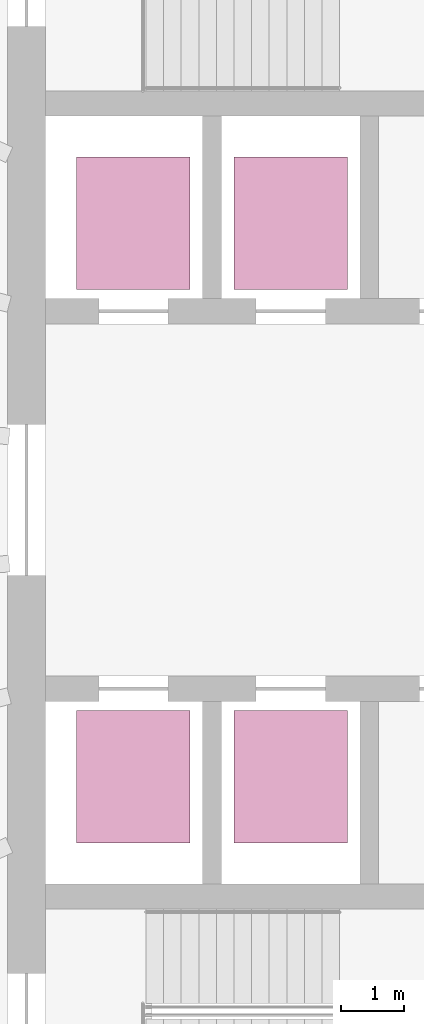
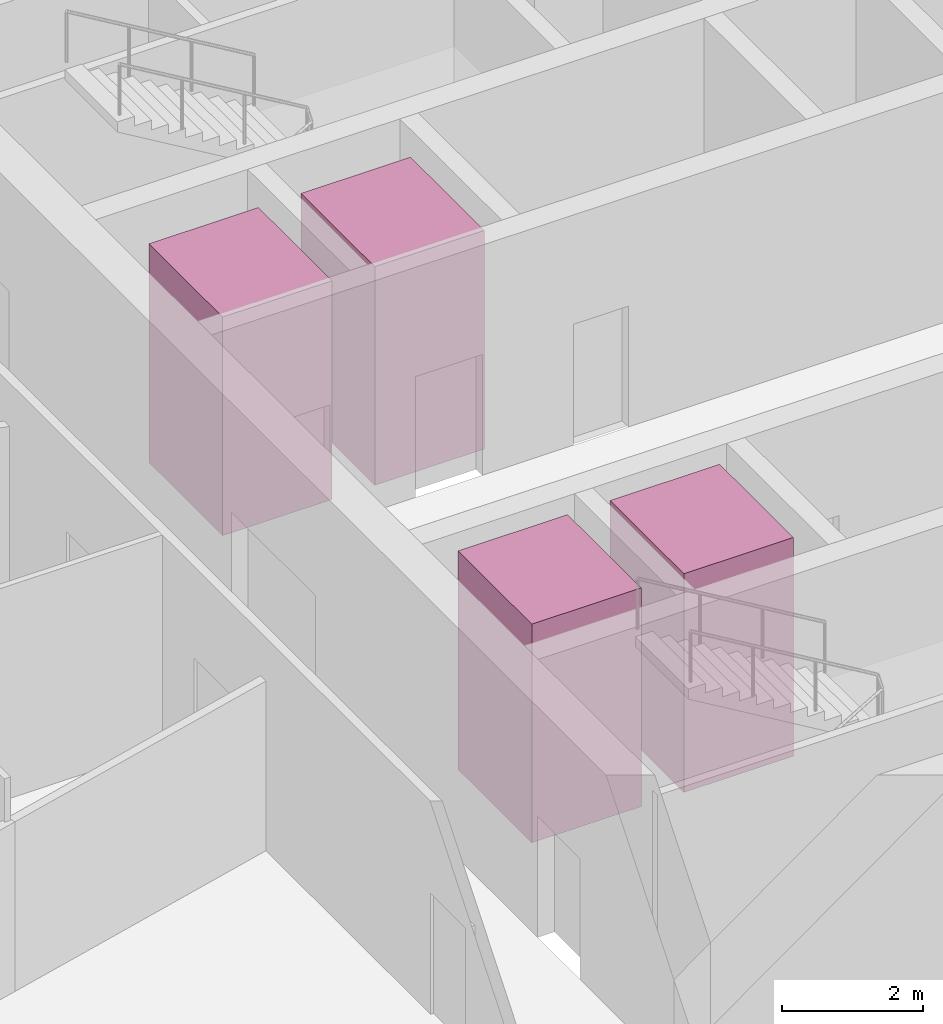
# One storey, part 10 of 10: 4 transport elements.
"""IFC4 building model written with IfcOpenShell, lengths in metres."""

from ifc_helpers import new_model, si_unit, direction, frame, origin, origin_2d, place, context, subcontext, project, spatial, rectangle, extrude, material, type_object, element, save


model = new_model("IFC4")

# Units and contexts
model_context = context("Model", 3, precision=1e-05, world=origin(), true_north=direction((0.0, 1.0)))
body_context = subcontext(model_context, "Body", "Model", "MODEL_VIEW")
ifc_project = project(units=[si_unit("LENGTHUNIT", "METRE"), si_unit("AREAUNIT", "SQUARE_METRE"), si_unit("VOLUMEUNIT", "CUBIC_METRE"), si_unit("PLANEANGLEUNIT", "RADIAN"), si_unit("MASSUNIT", "GRAM", prefix="KILO")], contexts=[model_context])

# Site, building, storey
site_placement = place(None, origin())
site = spatial("IfcSite", under=ifc_project, at=site_placement, CompositionType="ELEMENT")
building_placement = place(site_placement, origin())
building = spatial("IfcBuilding", under=site, at=building_placement, Name="Halqa Exchange Tower", CompositionType="ELEMENT")
storey_placement = place(building_placement, frame((0.0, 0.0, 276.300048828125)))
storey = spatial("IfcBuildingStorey", under=building, at=storey_placement, Name="L64", CompositionType="ELEMENT", Elevation=276.300048828125)

# Transport elements
ifc_material = material(Name="Stainless steel", Category="steel")
transport_element_type = type_object("IfcTransportElementType", Name="High-rise passenger lift 1800 x 2100", PredefinedType="ELEVATOR", material=ifc_material)
for number, where, z_axis, x_axis, name in (
    (1, (-10.0, 4.39990234375, 0.0), (0.0, 0.0, 1.0), (1.0, 0.0, 0.0), "High-rise passenger lift HR1"),
    (2, (-7.5, 4.39990234375, 0.0), (0.0, 0.0, 1.0), (1.0, 0.0, 0.0), "High-rise passenger lift HR2"),
    (3, (-10.0, -4.39990234375, 0.0), (0.0, 0.0, 1.0), (1.0, 0.0, 0.0), "High-rise passenger lift HR3"),
    (4, (-7.5, -4.39990234375, 0.0), (0.0, 0.0, 1.0), (1.0, 0.0, 0.0), "High-rise passenger lift HR4"),
):
    element("IfcTransportElement", number, at=place(storey_placement, frame(where, z_axis=z_axis, x_axis=x_axis)), inside=storey, type_object=transport_element_type, Name=name, PredefinedType="ELEVATOR", context=body_context, shape_type="SweptSolid", body=[
        extrude(rectangle(XDim=1.800048828125, YDim=2.10009765625, at=origin_2d()), origin(), (0.0, 0.0, 1.0), 3.800048828125),
    ])

save(model, "model.ifc")
